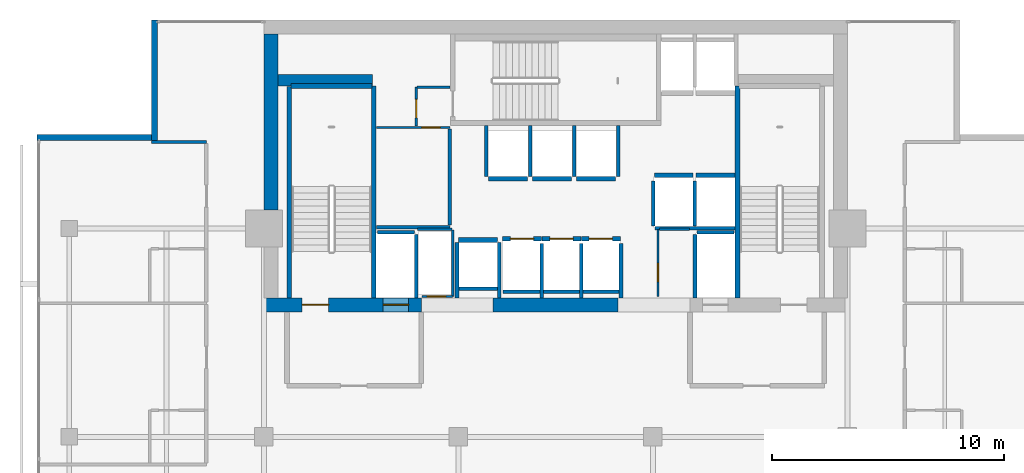
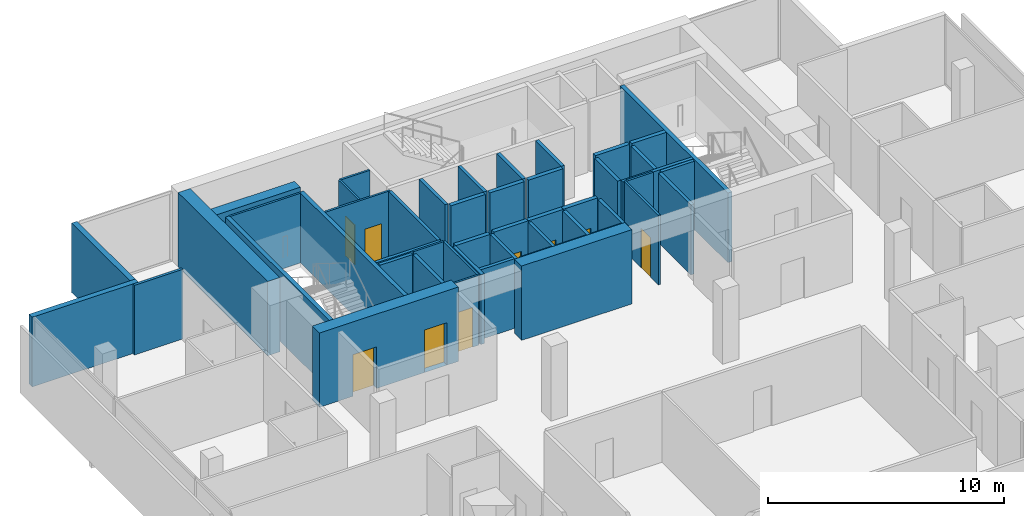
# One storey, part 22 of 25: 48 walls, 9 doors, 9 openings.
"""IFC4 building model written with IfcOpenShell, lengths in metres."""

import ifcopenshell
import ifcopenshell.guid

model = None  # the IFC model being written
_history = None  # IfcOwnerHistory: only IFC2X3 demands one
_inside = {}  # id of a spatial element -> (the spatial element, [elements in it])
_under = {}  # id of a project, library or spatial element -> (it, [spatial elements below it])
_declared = {}  # id of a project -> (the project, [libraries it declares])
_typed = {}  # id of a type object -> (the type object, [elements of that type])
_made_of = {}  # id of a material, layer set ... -> (it, [elements and type objects made of it])


def new_model(schema):
    """Start an empty IFC model of exactly this schema.

    Asked for "IFC4X3", IfcOpenShell would pick the latest addendum, in which some entities
    have other attributes; the version numbers below select the first issue.
    IFC2X3 requires an IfcOwnerHistory on every rooted entity: one is made here for all.
    """
    global model, _history
    if schema == "IFC4X3":
        model = ifcopenshell.file(schema_version=(4, 3, 0, 0))
    else:
        model = ifcopenshell.file(schema=schema)
    _inside.clear()
    _under.clear()
    _declared.clear()
    _typed.clear()
    _made_of.clear()
    _history = None
    if model.schema == "IFC2X3":
        org = make("IfcOrganization", Name="unknown")
        user = make(
            "IfcPersonAndOrganization",
            ThePerson=make("IfcPerson", FamilyName="unknown"),
            TheOrganization=org,
        )
        app = make(
            "IfcApplication",
            ApplicationDeveloper=org,
            Version="unknown",
            ApplicationFullName="unknown",
            ApplicationIdentifier="unknown",
        )
        _history = make(
            "IfcOwnerHistory",
            OwningUser=user,
            OwningApplication=app,
            ChangeAction="ADDED",
            CreationDate=0,
        )
    return model


def make(cls, **values):
    """One entity of the class cls with the attributes given. An attribute that is None is left unset."""
    return model.create_entity(
        cls, **{name: value for name, value in values.items() if value is not None}
    )


def rooted(cls, **values):
    """An entity with a GlobalId (a new one), such as an element, a storey or a relation."""
    return make(cls, GlobalId=ifcopenshell.guid.new(), OwnerHistory=_history, **values)


def si_unit(unit_type, name, prefix=None):
    """IfcSIUnit, for example si_unit("LENGTHUNIT", "METRE", prefix="MILLI")."""
    return make("IfcSIUnit", UnitType=unit_type, Prefix=prefix, Name=name)


def assignment(units):
    """IfcUnitAssignment: the units of a project."""
    return None if units is None else make("IfcUnitAssignment", Units=units)


def point(xyz):
    """IfcCartesianPoint."""
    return None if xyz is None else make("IfcCartesianPoint", Coordinates=xyz)


def direction(xyz):
    """IfcDirection."""
    return None if xyz is None else make("IfcDirection", DirectionRatios=xyz)


def frame(location, z_axis=None, x_axis=None):
    """IfcAxis2Placement3D, a coordinate frame: its origin and axes. An axis left out is left unset."""
    return make(
        "IfcAxis2Placement3D",
        Location=point(location),
        Axis=direction(z_axis),
        RefDirection=direction(x_axis),
    )


def frame_2d(location, x_axis=None):
    """IfcAxis2Placement2D, a coordinate frame in the plane: its origin and x axis."""
    return make(
        "IfcAxis2Placement2D", Location=point(location), RefDirection=direction(x_axis)
    )


def origin():
    """The frame at (0, 0, 0) with its axes left unset."""
    return frame((0.0, 0.0, 0.0))


def place(relative_to, where):
    """IfcLocalPlacement: puts the frame where relative to a parent placement (None: the world)."""
    return make(
        "IfcLocalPlacement", PlacementRelTo=relative_to, RelativePlacement=where
    )


def context(
    kind, dimensions, precision=None, world=None, true_north=None, identifier=None
):
    """IfcGeometricRepresentationContext, for example the 3D "Model" context."""
    return make(
        "IfcGeometricRepresentationContext",
        ContextIdentifier=identifier,
        ContextType=kind,
        CoordinateSpaceDimension=dimensions,
        Precision=precision,
        WorldCoordinateSystem=world,
        TrueNorth=true_north,
    )


def subcontext(parent, identifier, kind, view, scale=None):
    """IfcGeometricRepresentationSubContext, for example "Body" below "Model"."""
    return make(
        "IfcGeometricRepresentationSubContext",
        ContextIdentifier=identifier,
        ContextType=kind,
        ParentContext=parent,
        TargetScale=scale,
        TargetView=view,
    )


def project(units=None, contexts=None):
    """IfcProject with its units and contexts."""
    return rooted(
        "IfcProject",
        Name="project",
        RepresentationContexts=contexts,
        UnitsInContext=assignment(units),
    )


def spatial(cls, under=None, at=None, **own):
    """A site, building, storey or space (cls), placed at a placement, below another one or the project."""
    s = rooted(cls, ObjectPlacement=at, **own)
    if under is not None:
        _under.setdefault(under.id(), (under, []))[1].append(s)
    return s


def profile(cls, at=None, kind="AREA", **sizes):
    """A parametric profile (cls). Its sizes go by their IFC names, for example OverallWidth=200.0."""
    return make(cls, ProfileType=kind, Position=at, **sizes)


def rectangle(**sizes):
    """IfcRectangleProfileDef."""
    return profile("IfcRectangleProfileDef", **sizes)


def extrude(swept, where, along, depth):
    """IfcExtrudedAreaSolid: the profile swept, set in the frame where, extruded along a direction by depth."""
    return make(
        "IfcExtrudedAreaSolid",
        SweptArea=swept,
        Position=where,
        ExtrudedDirection=direction(along),
        Depth=depth,
    )


def shape(context_of_items, identifier, shape_type, items):
    """IfcShapeRepresentation: the items that make up one representation, for example the "Body"."""
    return make(
        "IfcShapeRepresentation",
        ContextOfItems=context_of_items,
        RepresentationIdentifier=identifier,
        RepresentationType=shape_type,
        Items=items,
    )


def material(Name=None, Category=None):
    """IfcMaterial."""
    return make("IfcMaterial", Name=Name, Category=Category)


def layer(
    of_material, thickness, ventilated=None, Name=None, Category=None, Priority=None
):
    """IfcMaterialLayer: one layer of a wall or slab, of a material (None: an air gap)."""
    return make(
        "IfcMaterialLayer",
        Material=of_material,
        LayerThickness=thickness,
        IsVentilated=ventilated,
        Name=Name,
        Category=Category,
        Priority=Priority,
    )


def layer_set(layers, Name=None):
    """IfcMaterialLayerSet."""
    return make("IfcMaterialLayerSet", MaterialLayers=layers, LayerSetName=Name)


def made_of(thing, what):
    """Note that an element or type object is made of a material, layer set ...; save() writes the relation."""
    if what is not None:
        _made_of.setdefault(what.id(), (what, []))[1].append(thing)
    return thing


def type_object(cls, material=None, **own):
    """A type object (cls), such as IfcWallType, which elements share."""
    return made_of(rooted(cls, **own), material)


def element(
    cls,
    number,
    at=None,
    inside=None,
    cuts=None,
    type_object=None,
    material=None,
    context=None,
    identifier="Body",
    shape_type=None,
    held_by="IfcProductDefinitionShape",
    body=None,
    shapes=None,
    **own,
):
    """One element of the class cls, such as IfcWall. Its Tag is "e" and its number.

    at: its placement. inside: the storey or other place that contains it. cuts: it is an
    opening in that element (IfcRelVoidsElement). A single representation is given by context,
    identifier, shape_type and body (its items); several are given by shapes. held_by: the class
    of the entity that holds the representations. save() writes the other relations.
    """
    e = rooted(cls, Tag="e%d" % number, ObjectPlacement=at, **own)
    if body is not None:
        shapes = [shape(context, identifier, shape_type, body)]
    if shapes is not None:
        e.Representation = make(held_by, Representations=shapes)
    if inside is not None:
        _inside.setdefault(inside.id(), (inside, []))[1].append(e)
    if cuts is not None:
        rooted(
            "IfcRelVoidsElement", RelatingBuildingElement=cuts, RelatedOpeningElement=e
        )
    if type_object is not None:
        _typed.setdefault(type_object.id(), (type_object, []))[1].append(e)
    return made_of(e, material)


def fill(opening, filler):
    """IfcRelFillsElement: the door or window that sits in an opening."""
    return rooted(
        "IfcRelFillsElement",
        RelatingOpeningElement=opening,
        RelatedBuildingElement=filler,
    )


def aggregate(whole, parts):
    """IfcRelAggregates: a whole, such as a stair, and the parts it consists of."""
    return rooted("IfcRelAggregates", RelatingObject=whole, RelatedObjects=parts)


def save(model, path):
    """Write the relations noted so far, then the file.

    IfcRelAggregates (storeys below a building ...), IfcRelContainedInSpatialStructure (elements
    in a storey), IfcRelDefinesByType, IfcRelAssociatesMaterial and IfcRelDeclares: one each for
    every whole, place, type object, material and project.
    """
    for whole, parts in _under.values():
        aggregate(whole, parts)
    for where, things in _inside.values():
        rooted(
            "IfcRelContainedInSpatialStructure",
            RelatedElements=things,
            RelatingStructure=where,
        )
    for kind, things in _typed.values():
        rooted("IfcRelDefinesByType", RelatedObjects=things, RelatingType=kind)
    for what, things in _made_of.values():
        rooted("IfcRelAssociatesMaterial", RelatedObjects=things, RelatingMaterial=what)
    for by, libraries in _declared.values():
        rooted("IfcRelDeclares", RelatingContext=by, RelatedDefinitions=libraries)
    model.write(path)


model = new_model("IFC4")

# Units and contexts
model_context = context("Model", 3, precision=1e-05, world=origin(), true_north=direction((0.0, 1.0)))
body_context = subcontext(model_context, "Body", "Model", "MODEL_VIEW")
ifc_project = project(units=[si_unit("LENGTHUNIT", "METRE"), si_unit("AREAUNIT", "SQUARE_METRE"), si_unit("VOLUMEUNIT", "CUBIC_METRE"), si_unit("PLANEANGLEUNIT", "RADIAN"), si_unit("MASSUNIT", "GRAM", prefix="KILO")], contexts=[model_context])

# Site, building, storey
site_placement = place(None, origin())
site = spatial("IfcSite", under=ifc_project, at=site_placement, CompositionType="ELEMENT")
building_placement = place(site_placement, origin())
building = spatial("IfcBuilding", under=site, at=building_placement, Name="Maruvema Waterfront Hotel and Observation Tower", CompositionType="ELEMENT")
storey_placement = place(building_placement, frame((0.0, 0.0, 239.39990234375)))
storey = spatial("IfcBuildingStorey", under=building, at=storey_placement, Name="L58", CompositionType="ELEMENT", Elevation=239.39990234375)

# Walls
ifc_material_1 = material(Name="Twin-stud acoustic gypsum drywall", Category="gypsum")
ifc_layer_1 = layer(ifc_material_1, 0.14990234375, Name="Acoustic Corridor and Suite Demising Wall 150 mm")
ifc_layer_set_1 = layer_set([ifc_layer_1], Name="Twin-stud acoustic gypsum drywall")
wall_type_1 = type_object("IfcWallType", Name="Acoustic Corridor and Suite Demising Wall 150 mm", PredefinedType="PARTITIONING", material=ifc_layer_set_1)
wall_1_placement = place(storey_placement, frame((30.06005859375, 45.06005859375, 0.0), z_axis=(0.0, 0.0, 1.0), x_axis=(1.0, 0.0, 0.0)))
element("IfcWall", 1, at=wall_1_placement, inside=storey, type_object=wall_type_1, Name="L58 Freed B1 South Wall 012", PredefinedType="PARTITIONING", context=body_context, shape_type="SweptSolid", body=[
    extrude(rectangle(XDim=3.179931640625, YDim=0.14990234375, at=frame_2d((1.58984375, 0.0))), origin(), (0.0, 0.0, 1.0), 3.610107421875),
])
wall_2_placement = place(storey_placement, frame((33.219970703125, 45.139892578125, 0.0), z_axis=(0.0, 0.0, 1.0), x_axis=(0.0, 1.0, 0.0)))
element("IfcWall", 2, at=wall_2_placement, inside=storey, type_object=wall_type_1, Name="L58 Freed B1 East Wall 013", PredefinedType="PARTITIONING", context=body_context, shape_type="SweptSolid", body=[
    extrude(rectangle(XDim=4.16015625, YDim=0.14990234375, at=frame_2d((2.080078125, 0.0))), origin(), (0.0, 0.0, 1.0), 3.610107421875),
])
ifc_material_2 = material(Name="Precast concrete C45/55", Category="concrete")
ifc_layer_2 = layer(ifc_material_2, 0.199951171875, Name="Core Shaft and Stairwell Enclosure Wall 200 mm")
ifc_layer_set_2 = layer_set([ifc_layer_2], Name="Precast concrete C45/55")
wall_type_2 = type_object("IfcWallType", Name="Core Shaft and Stairwell Enclosure Wall 200 mm", PredefinedType="SOLIDWALL", material=ifc_layer_set_2)
wall_3_placement = place(storey_placement, frame((29.949951171875, 42.0, 0.0), z_axis=(0.0, 0.0, 1.0), x_axis=(0.0, 1.0, 0.0)))
element("IfcWall", 3, at=wall_3_placement, inside=storey, type_object=wall_type_2, Name="L58 Stairwell ST-01 East Shaft Wall", PredefinedType="SOLIDWALL", context=body_context, shape_type="SweptSolid", body=[
    extrude(rectangle(XDim=9.14990234375, YDim=0.199951171875, at=frame_2d((4.574951171875, 0.0))), origin(), (0.0, 0.0, 1.0), 3.610107421875),
])
wall_4_placement = place(storey_placement, frame((26.300048828125, 42.0, 0.0), z_axis=(0.0, 0.0, 1.0), x_axis=(0.0, 1.0, 0.0)))
element("IfcWall", 4, at=wall_4_placement, inside=storey, type_object=wall_type_2, Name="L58 Stairwell ST-01 Shaft Lining Wall", PredefinedType="SOLIDWALL", context=body_context, shape_type="SweptSolid", body=[
    extrude(rectangle(XDim=9.1201171875, YDim=0.199951171875, at=frame_2d((4.56005859375, 0.0))), origin(), (0.0, 0.0, 1.0), 3.610107421875),
])
wall_5_placement = place(storey_placement, frame((26.3798828125, 51.14990234375, 0.0), z_axis=(0.0, 0.0, 1.0), x_axis=(1.0, 0.0, 0.0)))
element("IfcWall", 5, at=wall_5_placement, inside=storey, type_object=wall_type_2, Name="L58 Stairwell ST-01 Shaft Lining Wall", PredefinedType="SOLIDWALL", context=body_context, shape_type="SweptSolid", body=[
    extrude(rectangle(XDim=3.5, YDim=0.199951171875, at=frame_2d((1.75, 0.0))), origin(), (0.0, 0.0, 1.0), 3.610107421875),
])
wall_6_placement = place(storey_placement, frame((45.64990234375, 42.0, 0.0), z_axis=(0.0, 0.0, 1.0), x_axis=(0.0, 1.0, 0.0)))
element("IfcWall", 6, at=wall_6_placement, inside=storey, type_object=wall_type_2, Name="L58 Stairwell ST-03 West Shaft Wall", PredefinedType="SOLIDWALL", context=body_context, shape_type="SweptSolid", body=[
    extrude(rectangle(XDim=9.14990234375, YDim=0.199951171875, at=frame_2d((4.574951171875, 0.0))), origin(), (0.0, 0.0, 1.0), 3.610107421875),
])
for number, where, z_axis, x_axis, name in (
    (7, (42.06005859375, 47.300048828125, 0.0), (0.0, 0.0, 1.0), (1.0, 0.0, 0.0), "L58 Lift LF-05 Hoistway Front Wall"),
    (8, (43.860107421875, 47.300048828125, 0.0), (0.0, 0.0, 1.0), (1.0, 0.0, 0.0), "L58 Lift LF-06 Hoistway Front Wall"),
):
    element("IfcWall", number, at=place(storey_placement, frame(where, z_axis=z_axis, x_axis=x_axis)), inside=storey, type_object=wall_type_2, Name=name, PredefinedType="SOLIDWALL", context=body_context, shape_type="SweptSolid", body=[
        extrude(rectangle(XDim=1.679931640625, YDim=0.199951171875, at=frame_2d((0.83984375, 0.0))), origin(), (0.0, 0.0, 1.0), 3.610107421875),
    ])

# Wall, opening, door
wall_7_placement = place(storey_placement, frame((35.510009765625, 44.550048828125, 0.0), z_axis=(0.0, 0.0, 1.0), x_axis=(1.0, 0.0, 0.0)))
wall_7 = element("IfcWall", 9, at=wall_7_placement, inside=storey, type_object=wall_type_2, Name="L58 Lift LF-09 Hoistway Front Wall", PredefinedType="SOLIDWALL", context=body_context, shape_type="SweptSolid", body=[
    extrude(rectangle(XDim=1.679931640625, YDim=0.199951171875, at=frame_2d((0.83984375, 0.0))), origin(), (0.0, 0.0, 1.0), 3.610107421875),
])
opening_1_placement = place(wall_7_placement, frame((0.340087890625, 0.0, 0.0)))
opening_1 = element("IfcOpeningElement", 10, at=opening_1_placement, cuts=wall_7, Name="Opening LD-01", PredefinedType="OPENING", context=body_context, shape_type="SweptSolid", body=[
    extrude(rectangle(XDim=1.0, YDim=2.14990234375, at=frame_2d((0.5, 1.074951171875))), frame((0.0, 0.10986328125, 0.0), z_axis=(0.0, -1.0, 0.0), x_axis=(1.0, 0.0, 0.0)), (0.0, 0.0, 1.0), 0.219970703125),
])
ifc_material_3 = material(Name="Brushed stainless steel Grade 316", Category="steel")
door_type_1 = type_object("IfcDoorType", Name="Passenger Lift Sliding Landing Door 1000x2150 mm", OperationType="SLIDING_TO_LEFT", PredefinedType="DOOR", material=ifc_material_3)
door_1_placement = place(opening_1_placement, origin())
door_1 = element("IfcDoor", 11, at=door_1_placement, inside=storey, type_object=door_type_1, Name="L58 Lift LF-09 Sliding Landing Door", OperationType="SLIDING_TO_LEFT", OverallHeight=2.14990234375, OverallWidth=1.0, PredefinedType="DOOR", context=body_context, shape_type="SweptSolid", body=[
    extrude(rectangle(XDim=1.0, YDim=2.14990234375, at=frame_2d((0.5, 1.074951171875))), frame((0.0, 0.02490234375, 0.0), z_axis=(0.0, -1.0, 0.0), x_axis=(1.0, 0.0, 0.0)), (0.0, 0.0, 1.0), 0.050048828125),
])
fill(opening_1, door_1)

wall_8_placement = place(storey_placement, frame((37.2099609375, 44.550048828125, 0.0), z_axis=(0.0, 0.0, 1.0), x_axis=(1.0, 0.0, 0.0)))
wall_8 = element("IfcWall", 12, at=wall_8_placement, inside=storey, type_object=wall_type_2, Name="L58 Lift LF-10 Hoistway Front Wall", PredefinedType="SOLIDWALL", context=body_context, shape_type="SweptSolid", body=[
    extrude(rectangle(XDim=1.679931640625, YDim=0.199951171875, at=frame_2d((0.83984375, 0.0))), origin(), (0.0, 0.0, 1.0), 3.610107421875),
])
opening_2_placement = place(wall_8_placement, frame((0.340087890625, 0.0, 0.0)))
opening_2 = element("IfcOpeningElement", 13, at=opening_2_placement, cuts=wall_8, Name="Opening LD-01", PredefinedType="OPENING", context=body_context, shape_type="SweptSolid", body=[
    extrude(rectangle(XDim=1.0, YDim=2.14990234375, at=frame_2d((0.5, 1.074951171875))), frame((0.0, 0.10986328125, 0.0), z_axis=(0.0, -1.0, 0.0), x_axis=(1.0, 0.0, 0.0)), (0.0, 0.0, 1.0), 0.219970703125),
])
door_2_placement = place(opening_2_placement, origin())
door_2 = element("IfcDoor", 14, at=door_2_placement, inside=storey, type_object=door_type_1, Name="L58 Lift LF-10 Sliding Landing Door", OperationType="SLIDING_TO_LEFT", OverallHeight=2.14990234375, OverallWidth=1.0, PredefinedType="DOOR", context=body_context, shape_type="SweptSolid", body=[
    extrude(rectangle(XDim=1.0, YDim=2.14990234375, at=frame_2d((0.5, 1.074951171875))), frame((0.0, 0.02490234375, 0.0), z_axis=(0.0, -1.0, 0.0), x_axis=(1.0, 0.0, 0.0)), (0.0, 0.0, 1.0), 0.050048828125),
])
fill(opening_2, door_2)

wall_9_placement = place(storey_placement, frame((38.909912109375, 44.550048828125, 0.0), z_axis=(0.0, 0.0, 1.0), x_axis=(1.0, 0.0, 0.0)))
wall_9 = element("IfcWall", 15, at=wall_9_placement, inside=storey, type_object=wall_type_2, Name="L58 Lift LF-11 Hoistway Front Wall", PredefinedType="SOLIDWALL", context=body_context, shape_type="SweptSolid", body=[
    extrude(rectangle(XDim=1.68017578125, YDim=0.199951171875, at=frame_2d((0.840087890625, 0.0))), origin(), (0.0, 0.0, 1.0), 3.610107421875),
])
opening_3_placement = place(wall_9_placement, frame((0.340087890625, 0.0, 0.0)))
opening_3 = element("IfcOpeningElement", 16, at=opening_3_placement, cuts=wall_9, Name="Opening LD-01", PredefinedType="OPENING", context=body_context, shape_type="SweptSolid", body=[
    extrude(rectangle(XDim=1.0, YDim=2.14990234375, at=frame_2d((0.5, 1.074951171875))), frame((0.0, 0.10986328125, 0.0), z_axis=(0.0, -1.0, 0.0), x_axis=(1.0, 0.0, 0.0)), (0.0, 0.0, 1.0), 0.219970703125),
])
door_3_placement = place(opening_3_placement, origin())
door_3 = element("IfcDoor", 17, at=door_3_placement, inside=storey, type_object=door_type_1, Name="L58 Lift LF-11 Sliding Landing Door", OperationType="SLIDING_TO_LEFT", OverallHeight=2.14990234375, OverallWidth=1.0, PredefinedType="DOOR", context=body_context, shape_type="SweptSolid", body=[
    extrude(rectangle(XDim=1.0, YDim=2.14990234375, at=frame_2d((0.5, 1.074951171875))), frame((0.0, 0.02490234375, 0.0), z_axis=(0.0, -1.0, 0.0), x_axis=(1.0, 0.0, 0.0)), (0.0, 0.0, 1.0), 0.050048828125),
])
fill(opening_3, door_3)

# Walls
wall_10_placement = place(storey_placement, frame((34.909912109375, 47.14990234375, 0.0), z_axis=(0.0, 0.0, 1.0), x_axis=(1.0, 0.0, 0.0)))
element("IfcWall", 18, at=wall_10_placement, inside=storey, type_object=wall_type_2, Name="L58 Lift LF-12 Hoistway Front Wall", PredefinedType="SOLIDWALL", context=body_context, shape_type="SweptSolid", body=[
    extrude(rectangle(XDim=1.68017578125, YDim=0.199951171875, at=frame_2d((0.840087890625, 0.0))), origin(), (0.0, 0.0, 1.0), 3.610107421875),
])
for number, where, z_axis, x_axis, name in (
    (19, (36.81005859375, 47.14990234375, 0.0), (0.0, 0.0, 1.0), (1.0, 0.0, 0.0), "L58 Lift LF-13 Hoistway Front Wall"),
    (20, (38.7099609375, 47.14990234375, 0.0), (0.0, 0.0, 1.0), (1.0, 0.0, 0.0), "L58 Lift LF-14 Hoistway Front Wall"),
    (21, (33.610107421875, 44.5, 0.0), (0.0, 0.0, 1.0), (1.0, 0.0, 0.0), "L58 Lift LF-15 Hoistway Front Wall"),
):
    element("IfcWall", number, at=place(storey_placement, frame(where, z_axis=z_axis, x_axis=x_axis)), inside=storey, type_object=wall_type_2, Name=name, PredefinedType="SOLIDWALL", context=body_context, shape_type="SweptSolid", body=[
        extrude(rectangle(XDim=1.679931640625, YDim=0.199951171875, at=frame_2d((0.83984375, 0.0))), origin(), (0.0, 0.0, 1.0), 3.610107421875),
    ])
ifc_material_4 = material(Name="Concrete C70/85", Category="concrete")
ifc_layer_3 = layer(ifc_material_4, 0.5, Name="Core Shear Wall 500 mm")
ifc_layer_set_3 = layer_set([ifc_layer_3], Name="Concrete C70/85")
wall_type_3 = type_object("IfcWallType", Name="Core Shear Wall 500 mm", PredefinedType="SHEAR", material=ifc_layer_set_3)
wall_11_placement = place(storey_placement, frame((25.800048828125, 51.39990234375, 0.0), z_axis=(0.0, 0.0, 1.0), x_axis=(1.0, 0.0, 0.0)))
element("IfcWall", 22, at=wall_11_placement, inside=storey, type_object=wall_type_3, Name="L58 Internal Core Shear Wall NW 500 mm", PredefinedType="SHEAR", context=body_context, shape_type="SweptSolid", body=[
    extrude(rectangle(XDim=4.099853515625, YDim=0.5, at=frame_2d((2.0498046875, 0.0))), origin(), (0.0, 0.0, 1.0), 3.85009765625),
])

# Wall, openings, doors
ifc_material_5 = material(Name="Concrete C60/75", Category="concrete")
ifc_layer_4 = layer(ifc_material_5, 0.60009765625, Name="Core Shear Wall 600 mm")
ifc_layer_set_4 = layer_set([ifc_layer_4], Name="Concrete C60/75")
wall_type_4 = type_object("IfcWallType", Name="Core Shear Wall 600 mm", PredefinedType="SHEAR", material=ifc_layer_set_4)
wall_12_placement = place(storey_placement, frame((25.199951171875, 41.699951171875, 0.0), z_axis=(0.0, 0.0, 1.0), x_axis=(1.0, 0.0, 0.0)))
wall_12 = element("IfcWall", 23, at=wall_12_placement, inside=storey, type_object=wall_type_4, Name="L58 South-West Core Shear Wall", PredefinedType="SHEAR", context=body_context, shape_type="SweptSolid", body=[
    extrude(rectangle(XDim=6.800048828125, YDim=0.60009765625, at=frame_2d((3.39990234375, 0.0))), origin(), (0.0, 0.0, 1.0), 3.85009765625),
])
opening_4_placement = place(wall_12_placement, frame((1.64990234375, 0.0, 0.0)))
opening_4 = element("IfcOpeningElement", 24, at=opening_4_placement, cuts=wall_12, Name="Opening SD-01", PredefinedType="OPENING", context=body_context, shape_type="SweptSolid", body=[
    extrude(rectangle(XDim=1.14990234375, YDim=2.14990234375, at=frame_2d((0.574951171875, 1.074951171875))), frame((0.0, 0.31005859375, 0.0), z_axis=(0.0, -1.0, 0.0), x_axis=(1.0, 0.0, 0.0)), (0.0, 0.0, 1.0), 0.6201171875),
])
opening_5_placement = place(wall_12_placement, frame((5.14990234375, 0.0, 0.0)))
opening_5 = element("IfcOpeningElement", 25, at=opening_5_placement, cuts=wall_12, Name="Opening LD-03", PredefinedType="OPENING", context=body_context, shape_type="SweptSolid", body=[
    extrude(rectangle(XDim=1.10009765625, YDim=2.199951171875, at=frame_2d((0.550048828125, 1.10009765625))), frame((0.0, 0.31005859375, 0.0), z_axis=(0.0, -1.0, 0.0), x_axis=(1.0, 0.0, 0.0)), (0.0, 0.0, 1.0), 0.6201171875),
])
ifc_material_6 = material(Name="Fire-rated galvanised steel leaf", Category="steel")
door_type_2 = type_object("IfcDoorType", Name="Exit Stair Fire Door 1150x2150 mm", OperationType="NOTDEFINED", PredefinedType="DOOR", material=ifc_material_6)
door_4_placement = place(opening_4_placement, origin())
door_4 = element("IfcDoor", 26, at=door_4_placement, inside=storey, type_object=door_type_2, Name="L58 Exit Stair ST-01 Fire Door", OperationType="SINGLE_SWING_LEFT", OverallHeight=2.14990234375, OverallWidth=1.14990234375, PredefinedType="DOOR", context=body_context, shape_type="SweptSolid", body=[
    extrude(rectangle(XDim=1.14990234375, YDim=2.14990234375, at=frame_2d((0.574951171875, 1.074951171875))), frame((0.0, 0.02490234375, 0.0), z_axis=(0.0, -1.0, 0.0), x_axis=(1.0, 0.0, 0.0)), (0.0, 0.0, 1.0), 0.050048828125),
])
fill(opening_4, door_4)
ifc_material_7 = material(Name="Brushed stainless steel Grade 316", Category="steel")
door_type_3 = type_object("IfcDoorType", Name="Firefighting Lift Sliding Landing Door 1100x2200 mm", OperationType="SLIDING_TO_LEFT", PredefinedType="DOOR", material=ifc_material_7)
door_5_placement = place(opening_5_placement, frame((1.10009765625, 0.0, 0.0), z_axis=(0.0, 0.0, 1.0), x_axis=(-1.0, 0.0, 0.0)))
door_5 = element("IfcDoor", 27, at=door_5_placement, inside=storey, type_object=door_type_3, Name="L58 Firefighting Lift FL-01 Landing Door", OperationType="SLIDING_TO_LEFT", OverallHeight=2.199951171875, OverallWidth=1.10009765625, PredefinedType="DOOR", context=body_context, shape_type="SweptSolid", body=[
    extrude(rectangle(XDim=1.10009765625, YDim=2.199951171875, at=frame_2d((0.550048828125, 1.10009765625))), frame((0.0, 0.02490234375, 0.0), z_axis=(0.0, -1.0, 0.0), x_axis=(1.0, 0.0, 0.0)), (0.0, 0.0, 1.0), 0.050048828125),
])
fill(opening_5, door_5)

# Walls
wall_13_placement = place(storey_placement, frame((35.10009765625, 41.699951171875, 0.0), z_axis=(0.0, 0.0, 1.0), x_axis=(1.0, 0.0, 0.0)))
element("IfcWall", 28, at=wall_13_placement, inside=storey, type_object=wall_type_4, Name="L58 South-Central Core Shear Wall", PredefinedType="SHEAR", context=body_context, shape_type="SweptSolid", body=[
    extrude(rectangle(XDim=5.39990234375, YDim=0.60009765625, at=frame_2d((2.699951171875, 0.0))), origin(), (0.0, 0.0, 1.0), 3.85009765625),
])
wall_14_placement = place(storey_placement, frame((25.5, 45.800048828125, 0.0), z_axis=(0.0, 0.0, 1.0), x_axis=(0.0, 1.0, 0.0)))
element("IfcWall", 29, at=wall_14_placement, inside=storey, type_object=wall_type_4, Name="L58 West-North Core Shear Wall", PredefinedType="SHEAR", context=body_context, shape_type="SweptSolid", body=[
    extrude(rectangle(XDim=7.599853515625, YDim=0.60009765625, at=frame_2d((3.7998046875, 0.0))), origin(), (0.0, 0.0, 1.0), 3.85009765625),
])

# Wall, opening, door
ifc_material_8 = material(Name="Moisture-resistant cement-board drywall", Category="gypsum")
ifc_layer_5 = layer(ifc_material_8, 0.10009765625, Name="En-Suite Moisture-Resistant Partition 100 mm")
ifc_layer_set_5 = layer_set([ifc_layer_5], Name="Moisture-resistant cement-board drywall")
wall_type_5 = type_object("IfcWallType", Name="En-Suite Moisture-Resistant Partition 100 mm", PredefinedType="PARTITIONING", material=ifc_layer_set_5)
wall_15_placement = place(storey_placement, frame((32.02001953125, 42.06005859375, 0.0), z_axis=(0.0, 0.0, 1.0), x_axis=(1.0, 0.0, 0.0)))
wall_15 = element("IfcWall", 30, at=wall_15_placement, inside=storey, type_object=wall_type_5, Name="L58 Telecom Riser South Wall 007", PredefinedType="PARTITIONING", context=body_context, shape_type="SweptSolid", body=[
    extrude(rectangle(XDim=1.320068359375, YDim=0.10009765625, at=frame_2d((0.66015625, 0.0))), origin(), (0.0, 0.0, 1.0), 3.610107421875),
])
opening_6_placement = place(wall_15_placement, frame((0.239990234375, 0.0, 0.0)))
opening_6 = element("IfcOpeningElement", 31, at=opening_6_placement, cuts=wall_15, Name="Opening DR-080", PredefinedType="OPENING", context=body_context, shape_type="SweptSolid", body=[
    extrude(rectangle(XDim=0.800048828125, YDim=2.050048828125, at=frame_2d((0.39990234375, 1.02490234375))), frame((0.0, 0.06005859375, 0.0), z_axis=(0.0, -1.0, 0.0), x_axis=(1.0, 0.0, 0.0)), (0.0, 0.0, 1.0), 0.1201171875),
])
ifc_material_9 = material(Name="Powder-coated steel access leaf", Category="steel")
door_type_4 = type_object("IfcDoorType", Name="Riser and Service Cupboard Door 800x2050 mm", OperationType="NOTDEFINED", PredefinedType="DOOR", material=ifc_material_9)
door_6_placement = place(opening_6_placement, frame((0.800048828125, 0.0, 0.0), z_axis=(0.0, 0.0, 1.0), x_axis=(-1.0, 0.0, 0.0)))
door_6 = element("IfcDoor", 32, at=door_6_placement, inside=storey, type_object=door_type_4, Name="L58 Telecom Riser Door", OperationType="SINGLE_SWING_RIGHT", OverallHeight=2.050048828125, OverallWidth=0.800048828125, PredefinedType="DOOR", context=body_context, shape_type="SweptSolid", body=[
    extrude(rectangle(XDim=0.800048828125, YDim=2.050048828125, at=frame_2d((0.39990234375, 1.02490234375))), frame((0.0, 0.02490234375, 0.0), z_axis=(0.0, -1.0, 0.0), x_axis=(1.0, 0.0, 0.0)), (0.0, 0.0, 1.0), 0.050048828125),
])
fill(opening_6, door_6)

# Walls
wall_16_placement = place(storey_placement, frame((31.840087890625, 44.9599609375, 0.0), z_axis=(0.0, 0.0, 1.0), x_axis=(1.0, 0.0, 0.0)))
element("IfcWall", 33, at=wall_16_placement, inside=storey, type_object=wall_type_5, Name="L58 Telecom Riser North Wall 008", PredefinedType="PARTITIONING", context=body_context, shape_type="SweptSolid", body=[
    extrude(rectangle(XDim=1.47998046875, YDim=0.10009765625, at=frame_2d((0.739990234375, 0.0))), origin(), (0.0, 0.0, 1.0), 3.610107421875),
])
wall_17_placement = place(storey_placement, frame((33.360107421875, 42.06005859375, 0.0), z_axis=(0.0, 0.0, 1.0), x_axis=(0.0, 1.0, 0.0)))
element("IfcWall", 34, at=wall_17_placement, inside=storey, type_object=wall_type_5, Name="L58 Telecom Riser East Wall 009", PredefinedType="PARTITIONING", context=body_context, shape_type="SweptSolid", body=[
    extrude(rectangle(XDim=2.8798828125, YDim=0.10009765625, at=frame_2d((1.43994140625, 0.0))), origin(), (0.0, 0.0, 1.0), 3.610107421875),
])

# Wall, opening, door
wall_18_placement = place(storey_placement, frame((42.219970703125, 42.050048828125, 0.0), z_axis=(0.0, 0.0, 1.0), x_axis=(0.0, 1.0, 0.0)))
wall_18 = element("IfcWall", 35, at=wall_18_placement, inside=storey, type_object=wall_type_5, Name="L58 Core Closet K1 West 010", PredefinedType="PARTITIONING", context=body_context, shape_type="SweptSolid", body=[
    extrude(rectangle(XDim=2.909912109375, YDim=0.10009765625, at=frame_2d((1.455078125, 0.0))), origin(), (0.0, 0.0, 1.0), 3.610107421875),
])
opening_7_placement = place(wall_18_placement, frame((0.64990234375, 0.0, 0.0)))
opening_7 = element("IfcOpeningElement", 36, at=opening_7_placement, cuts=wall_18, Name="Opening DR-080", PredefinedType="OPENING", context=body_context, shape_type="SweptSolid", body=[
    extrude(rectangle(XDim=0.800048828125, YDim=2.050048828125, at=frame_2d((0.39990234375, 1.02490234375))), frame((0.0, 0.06005859375, 0.0), z_axis=(0.0, -1.0, 0.0), x_axis=(1.0, 0.0, 0.0)), (0.0, 0.0, 1.0), 0.1201171875),
])
door_7_placement = place(opening_7_placement, frame((0.800048828125, 0.0, 0.0), z_axis=(0.0, 0.0, 1.0), x_axis=(-1.0, 0.0, 0.0)))
door_7 = element("IfcDoor", 37, at=door_7_placement, inside=storey, type_object=door_type_4, Name="L58 Core Cleaning Store Door", OperationType="SINGLE_SWING_LEFT", OverallHeight=2.050048828125, OverallWidth=0.800048828125, PredefinedType="DOOR", context=body_context, shape_type="SweptSolid", body=[
    extrude(rectangle(XDim=0.800048828125, YDim=2.050048828125, at=frame_2d((0.39990234375, 1.02490234375))), frame((0.0, 0.02490234375, 0.0), z_axis=(0.0, -1.0, 0.0), x_axis=(1.0, 0.0, 0.0)), (0.0, 0.0, 1.0), 0.050048828125),
])
fill(opening_7, door_7)

# Wall
wall_19_placement = place(storey_placement, frame((42.280029296875, 44.9599609375, 0.0), z_axis=(0.0, 0.0, 1.0), x_axis=(1.0, 0.0, 0.0)))
element("IfcWall", 38, at=wall_19_placement, inside=storey, type_object=wall_type_5, Name="L58 Core Closet K1 North 011", PredefinedType="PARTITIONING", context=body_context, shape_type="SweptSolid", body=[
    extrude(rectangle(XDim=1.300048828125, YDim=0.10009765625, at=frame_2d((0.64990234375, 0.0))), origin(), (0.0, 0.0, 1.0), 3.610107421875),
])

# Wall, opening, door
wall_20_placement = place(storey_placement, frame((30.06005859375, 49.360107421875, 0.0), z_axis=(0.0, 0.0, 1.0), x_axis=(1.0, 0.0, 0.0)))
wall_20 = element("IfcWall", 39, at=wall_20_placement, inside=storey, type_object=wall_type_5, Name="L58 Freed B1 Mid Wall 014", PredefinedType="PARTITIONING", context=body_context, shape_type="SweptSolid", body=[
    extrude(rectangle(XDim=3.179931640625, YDim=0.10009765625, at=frame_2d((1.58984375, 0.0))), origin(), (0.0, 0.0, 1.0), 3.610107421875),
])
opening_8_placement = place(wall_20_placement, frame((1.949951171875, 0.0, 0.0)))
opening_8 = element("IfcOpeningElement", 40, at=opening_8_placement, cuts=wall_20, Name="Opening DR-080", PredefinedType="OPENING", context=body_context, shape_type="SweptSolid", body=[
    extrude(rectangle(XDim=0.800048828125, YDim=2.050048828125, at=frame_2d((0.39990234375, 1.02490234375))), frame((0.0, 0.06005859375, 0.0), z_axis=(0.0, -1.0, 0.0), x_axis=(1.0, 0.0, 0.0)), (0.0, 0.0, 1.0), 0.1201171875),
])
door_8_placement = place(opening_8_placement, origin())
door_8 = element("IfcDoor", 41, at=door_8_placement, inside=storey, type_object=door_type_4, Name="L58 Housekeeping and Linen Room Door", OperationType="SINGLE_SWING_RIGHT", OverallHeight=2.050048828125, OverallWidth=0.800048828125, PredefinedType="DOOR", context=body_context, shape_type="SweptSolid", body=[
    extrude(rectangle(XDim=0.800048828125, YDim=2.050048828125, at=frame_2d((0.39990234375, 1.02490234375))), frame((0.0, 0.02490234375, 0.0), z_axis=(0.0, -1.0, 0.0), x_axis=(1.0, 0.0, 0.0)), (0.0, 0.0, 1.0), 0.050048828125),
])
fill(opening_8, door_8)

wall_21_placement = place(storey_placement, frame((31.780029296875, 49.419921875, 0.0), z_axis=(0.0, 0.0, 1.0), x_axis=(0.0, 1.0, 0.0)))
wall_21 = element("IfcWall", 42, at=wall_21_placement, inside=storey, type_object=wall_type_5, Name="L58 Freed B1 NW East Wall 015", PredefinedType="PARTITIONING", context=body_context, shape_type="SweptSolid", body=[
    extrude(rectangle(XDim=1.68017578125, YDim=0.10009765625, at=frame_2d((0.840087890625, 0.0))), origin(), (0.0, 0.0, 1.0), 3.610107421875),
])
opening_9_placement = place(wall_21_placement, frame((0.35009765625, 0.0, 0.0)))
opening_9 = element("IfcOpeningElement", 43, at=opening_9_placement, cuts=wall_21, Name="Opening DR-080", PredefinedType="OPENING", context=body_context, shape_type="SweptSolid", body=[
    extrude(rectangle(XDim=0.800048828125, YDim=2.050048828125, at=frame_2d((0.39990234375, 1.02490234375))), frame((0.0, 0.06005859375, 0.0), z_axis=(0.0, -1.0, 0.0), x_axis=(1.0, 0.0, 0.0)), (0.0, 0.0, 1.0), 0.1201171875),
])
door_9_placement = place(opening_9_placement, origin())
door_9 = element("IfcDoor", 44, at=door_9_placement, inside=storey, type_object=door_type_4, Name="L58 Guest Floor Pantry Door", OperationType="SINGLE_SWING_LEFT", OverallHeight=2.050048828125, OverallWidth=0.800048828125, PredefinedType="DOOR", context=body_context, shape_type="SweptSolid", body=[
    extrude(rectangle(XDim=0.800048828125, YDim=2.050048828125, at=frame_2d((0.39990234375, 1.02490234375))), frame((0.0, 0.02490234375, 0.0), z_axis=(0.0, -1.0, 0.0), x_axis=(1.0, 0.0, 0.0)), (0.0, 0.0, 1.0), 0.050048828125),
])
fill(opening_9, door_9)

# Walls
wall_22_placement = place(storey_placement, frame((31.820068359375, 51.10009765625, 0.0), z_axis=(0.0, 0.0, 1.0), x_axis=(1.0, 0.0, 0.0)))
element("IfcWall", 45, at=wall_22_placement, inside=storey, type_object=wall_type_5, Name="L58 Freed B1 Vestibule North Wall 016", PredefinedType="PARTITIONING", context=body_context, shape_type="SweptSolid", body=[
    extrude(rectangle(XDim=1.419921875, YDim=0.10009765625, at=frame_2d((0.7099609375, 0.0))), origin(), (0.0, 0.0, 1.0), 3.610107421875),
])
ifc_material_10 = material(Name="Precast concrete C45/55 with honed Pernambuco granite facing", Category="masonry")
ifc_layer_6 = layer(ifc_material_10, 0.260009765625, Name="Exterior Granite Clad Spandrel and Pier Wall 260 mm")
ifc_layer_set_6 = layer_set([ifc_layer_6], Name="Precast concrete C45/55 with honed Pernambuco granite facing")
wall_type_6 = type_object("IfcWallType", Name="Exterior Granite Clad Spandrel and Pier Wall 260 mm", PredefinedType="SOLIDWALL", material=ifc_layer_set_6)
wall_23_placement = place(storey_placement, frame((20.469970703125, 48.800048828125, 0.0), z_axis=(0.0, 0.0, 1.0), x_axis=(0.0, 1.0, 0.0)))
element("IfcWall", 46, at=wall_23_placement, inside=storey, type_object=wall_type_6, Name="L58 Corner Notch Granite Pier Wall NW1", PredefinedType="SOLIDWALL", context=body_context, shape_type="SweptSolid", body=[
    extrude(rectangle(XDim=5.199951171875, YDim=0.260009765625, at=frame_2d((2.60009765625, 0.0))), origin(), (0.0, 0.0, 1.0), 3.610107421875),
])
wall_24_placement = place(storey_placement, frame((15.39990234375, 48.929931640625, 0.0), z_axis=(0.0, 0.0, 1.0), x_axis=(1.0, 0.0, 0.0)))
element("IfcWall", 47, at=wall_24_placement, inside=storey, type_object=wall_type_6, Name="L58 Corner Notch Granite Pier Wall NW2", PredefinedType="SOLIDWALL", context=body_context, shape_type="SweptSolid", body=[
    extrude(rectangle(XDim=5.2001953125, YDim=0.260009765625, at=frame_2d((2.60009765625, 0.0))), origin(), (0.0, 0.0, 1.0), 3.610107421875),
])
ifc_material_11 = material(Name="Acoustic gypsum plasterboard drywall", Category="gypsum")
ifc_layer_7 = layer(ifc_material_11, 0.125, Name="Guestroom Acoustic Demising Wall 125 mm")
ifc_layer_set_7 = layer_set([ifc_layer_7], Name="Acoustic gypsum plasterboard drywall")
wall_type_7 = type_object("IfcWallType", Name="Guestroom Acoustic Demising Wall 125 mm", PredefinedType="PARTITIONING", material=ifc_layer_set_7)
wall_25_placement = place(storey_placement, frame((20.340087890625, 48.737548828125, 0.0), z_axis=(0.0, 0.0, 1.0), x_axis=(1.0, 0.0, 0.0)))
element("IfcWall", 48, at=wall_25_placement, inside=storey, type_object=wall_type_7, Name="L58 Z3 NW Top End 078", PredefinedType="PARTITIONING", context=body_context, shape_type="SweptSolid", body=[
    extrude(rectangle(XDim=2.3798828125, YDim=0.125, at=frame_2d((1.18994140625, 0.0))), origin(), (0.0, 0.0, 1.0), 3.610107421875),
])
ifc_material_12 = material(Name="Precast concrete C45/55", Category="concrete")
ifc_layer_8 = layer(ifc_material_12, 0.159912109375, Name="Lift Hoistway Divider Wall 160 mm")
ifc_layer_set_8 = layer_set([ifc_layer_8], Name="Precast concrete C45/55")
wall_type_8 = type_object("IfcWallType", Name="Lift Hoistway Divider Wall 160 mm", PredefinedType="SOLIDWALL", material=ifc_layer_set_8)
wall_26_placement = place(storey_placement, frame((30.10009765625, 44.830078125, 0.0), z_axis=(0.0, 0.0, 1.0), x_axis=(1.0, 0.0, 0.0)))
element("IfcWall", 49, at=wall_26_placement, inside=storey, type_object=wall_type_8, Name="L58 Lift FL-01 Rear Hoistway Wall", PredefinedType="SOLIDWALL", context=body_context, shape_type="SweptSolid", body=[
    extrude(rectangle(XDim=1.599853515625, YDim=0.159912109375, at=frame_2d((0.7998046875, 0.0))), origin(), (0.0, 0.0, 1.0), 3.610107421875),
])
wall_27_placement = place(storey_placement, frame((31.780029296875, 42.0, 0.0), z_axis=(0.0, 0.0, 1.0), x_axis=(0.0, 1.0, 0.0)))
element("IfcWall", 50, at=wall_27_placement, inside=storey, type_object=wall_type_8, Name="L58 Lift FL-01 Inner Hoistway Wall", PredefinedType="SOLIDWALL", context=body_context, shape_type="SweptSolid", body=[
    extrude(rectangle(XDim=2.739990234375, YDim=0.159912109375, at=frame_2d((1.3701171875, 0.0))), origin(), (0.0, 0.0, 1.0), 3.610107421875),
])
wall_28_placement = place(storey_placement, frame((43.89990234375, 44.830078125, 0.0), z_axis=(0.0, 0.0, 1.0), x_axis=(1.0, 0.0, 0.0)))
element("IfcWall", 51, at=wall_28_placement, inside=storey, type_object=wall_type_8, Name="L58 Lift FL-02 Rear Hoistway Wall", PredefinedType="SOLIDWALL", context=body_context, shape_type="SweptSolid", body=[
    extrude(rectangle(XDim=1.60009765625, YDim=0.159912109375, at=frame_2d((0.800048828125, 0.0))), origin(), (0.0, 0.0, 1.0), 3.610107421875),
])
wall_29_placement = place(storey_placement, frame((43.820068359375, 42.0, 0.0), z_axis=(0.0, 0.0, 1.0), x_axis=(0.0, 1.0, 0.0)))
element("IfcWall", 52, at=wall_29_placement, inside=storey, type_object=wall_type_8, Name="L58 Lift FL-02 Inner Hoistway Wall", PredefinedType="SOLIDWALL", context=body_context, shape_type="SweptSolid", body=[
    extrude(rectangle(XDim=2.739990234375, YDim=0.159912109375, at=frame_2d((1.3701171875, 0.0))), origin(), (0.0, 0.0, 1.0), 3.610107421875),
])
for number, where, z_axis, x_axis, name in (
    (53, (42.02001953125, 45.10009765625, 0.0), (0.0, 0.0, 1.0), (0.0, 1.0, 0.0), "L58 Hoistway Divider Wall"),
    (54, (43.800048828125, 45.10009765625, 0.0), (0.0, 0.0, 1.0), (0.0, 1.0, 0.0), "L58 Hoistway Divider Wall"),
):
    element("IfcWall", number, at=place(storey_placement, frame(where, z_axis=z_axis, x_axis=x_axis)), inside=storey, type_object=wall_type_8, Name=name, PredefinedType="SOLIDWALL", context=body_context, shape_type="SweptSolid", body=[
        extrude(rectangle(XDim=1.949951171875, YDim=0.159912109375, at=frame_2d((0.97509765625, 0.0))), origin(), (0.0, 0.0, 1.0), 3.610107421875),
    ])
wall_30_placement = place(storey_placement, frame((42.10009765625, 45.010009765625, 0.0), z_axis=(0.0, 0.0, 1.0), x_axis=(1.0, 0.0, 0.0)))
element("IfcWall", 55, at=wall_30_placement, inside=storey, type_object=wall_type_8, Name="L58 Hoistway Divider Wall", PredefinedType="SOLIDWALL", context=body_context, shape_type="SweptSolid", body=[
    extrude(rectangle(XDim=3.449951171875, YDim=0.159912109375, at=frame_2d((1.72509765625, 0.0))), origin(), (0.0, 0.0, 1.0), 3.610107421875),
])
for number, where, z_axis, x_axis, name in (
    (56, (37.199951171875, 42.0, 0.0), (0.0, 0.0, 1.0), (0.0, 1.0, 0.0), "L58 Hoistway Divider Wall"),
    (57, (38.89990234375, 42.0, 0.0), (0.0, 0.0, 1.0), (0.0, 1.0, 0.0), "L58 Hoistway Divider Wall"),
    (58, (40.6201171875, 42.0, 0.0), (0.0, 0.0, 1.0), (0.0, 1.0, 0.0), "L58 Hoistway Divider Wall"),
):
    element("IfcWall", number, at=place(storey_placement, frame(where, z_axis=z_axis, x_axis=x_axis)), inside=storey, type_object=wall_type_8, Name=name, PredefinedType="SOLIDWALL", context=body_context, shape_type="SweptSolid", body=[
        extrude(rectangle(XDim=2.35009765625, YDim=0.159912109375, at=frame_2d((1.175048828125, 0.0))), origin(), (0.0, 0.0, 1.0), 3.610107421875),
    ])
wall_31_placement = place(storey_placement, frame((35.52001953125, 42.260009765625, 0.0), z_axis=(0.0, 0.0, 1.0), x_axis=(1.0, 0.0, 0.0)))
element("IfcWall", 59, at=wall_31_placement, inside=storey, type_object=wall_type_8, Name="L58 Hoistway Divider Wall", PredefinedType="SOLIDWALL", context=body_context, shape_type="SweptSolid", body=[
    extrude(rectangle(XDim=5.02001953125, YDim=0.159912109375, at=frame_2d((2.510009765625, 0.0))), origin(), (0.0, 0.0, 1.0), 3.610107421875),
])
for number, where, z_axis, x_axis, name in (
    (60, (34.800048828125, 47.25, 0.0), (0.0, 0.0, 1.0), (0.0, 1.0, 0.0), "L58 Hoistway Divider Wall"),
    (61, (36.699951171875, 47.25, 0.0), (0.0, 0.0, 1.0), (0.0, 1.0, 0.0), "L58 Hoistway Divider Wall"),
    (62, (38.60009765625, 47.25, 0.0), (0.0, 0.0, 1.0), (0.0, 1.0, 0.0), "L58 Hoistway Divider Wall"),
    (63, (40.5, 47.25, 0.0), (0.0, 0.0, 1.0), (0.0, 1.0, 0.0), "L58 Hoistway Divider Wall"),
):
    element("IfcWall", number, at=place(storey_placement, frame(where, z_axis=z_axis, x_axis=x_axis)), inside=storey, type_object=wall_type_8, Name=name, PredefinedType="SOLIDWALL", context=body_context, shape_type="SweptSolid", body=[
        extrude(rectangle(XDim=2.18994140625, YDim=0.159912109375, at=frame_2d((1.094970703125, 0.0))), origin(), (0.0, 0.0, 1.0), 3.610107421875),
    ])
for number, where, z_axis, x_axis, name in (
    (64, (33.5400390625, 42.0, 0.0), (0.0, 0.0, 1.0), (0.0, 1.0, 0.0), "L58 Hoistway Divider Wall"),
    (65, (35.360107421875, 42.0, 0.0), (0.0, 0.0, 1.0), (0.0, 1.0, 0.0), "L58 Hoistway Divider Wall"),
):
    element("IfcWall", number, at=place(storey_placement, frame(where, z_axis=z_axis, x_axis=x_axis)), inside=storey, type_object=wall_type_8, Name=name, PredefinedType="SOLIDWALL", context=body_context, shape_type="SweptSolid", body=[
        extrude(rectangle(XDim=2.39990234375, YDim=0.159912109375, at=frame_2d((1.199951171875, 0.0))), origin(), (0.0, 0.0, 1.0), 3.610107421875),
    ])
wall_32_placement = place(storey_placement, frame((33.6201171875, 42.39990234375, 0.0), z_axis=(0.0, 0.0, 1.0), x_axis=(1.0, 0.0, 0.0)))
element("IfcWall", 66, at=wall_32_placement, inside=storey, type_object=wall_type_8, Name="L58 Hoistway Divider Wall", PredefinedType="SOLIDWALL", context=body_context, shape_type="SweptSolid", body=[
    extrude(rectangle(XDim=1.659912109375, YDim=0.159912109375, at=frame_2d((0.830078125, 0.0))), origin(), (0.0, 0.0, 1.0), 3.610107421875),
])

save(model, "model.ifc")
